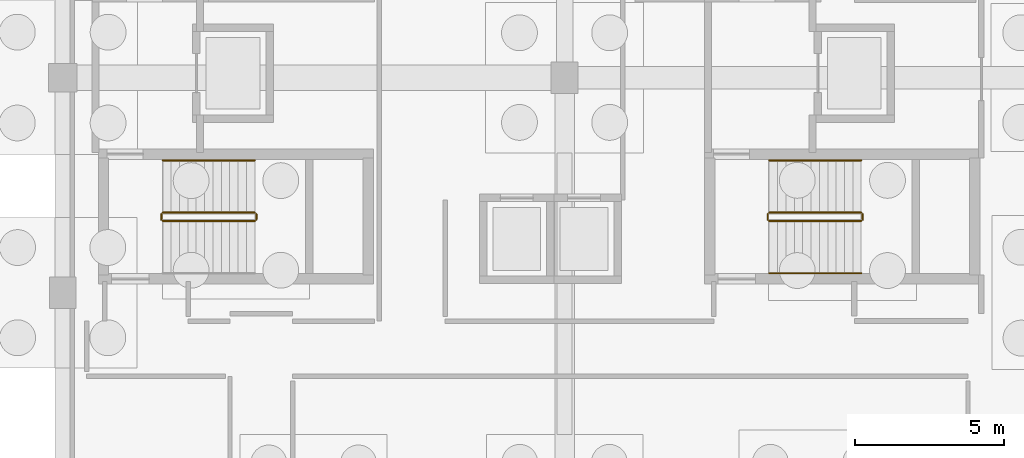
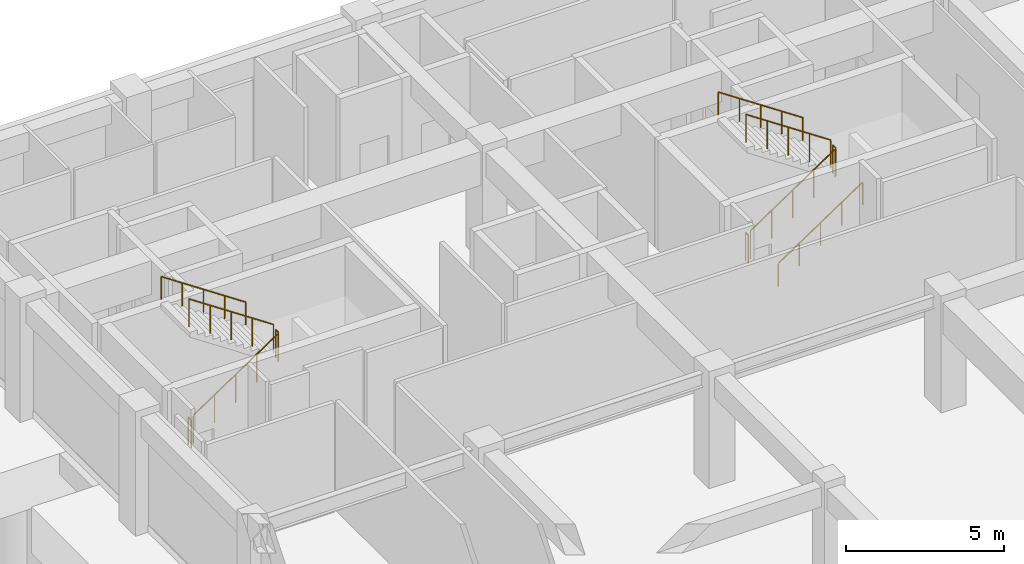
# One storey, part 40 of 42: 11 railings.
"""IFC4 building model written with IfcOpenShell, lengths in metres."""

from ifc_helpers import new_model, si_unit, direction, frame, origin, origin_2d, place, context, subcontext, project, spatial, circle, extrude, material, type_object, element, save


model = new_model("IFC4")

# Units and contexts
model_context = context("Model", 3, precision=1e-05, world=origin(), true_north=direction((0.0, 1.0)))
body_context = subcontext(model_context, "Body", "Model", "MODEL_VIEW")
ifc_project = project(units=[si_unit("LENGTHUNIT", "METRE"), si_unit("AREAUNIT", "SQUARE_METRE"), si_unit("VOLUMEUNIT", "CUBIC_METRE"), si_unit("PLANEANGLEUNIT", "RADIAN"), si_unit("MASSUNIT", "GRAM", prefix="KILO")], contexts=[model_context])

# Site, building, storey
site_placement = place(None, origin())
site = spatial("IfcSite", under=ifc_project, at=site_placement, CompositionType="ELEMENT")
building_placement = place(site_placement, origin())
building = spatial("IfcBuilding", under=site, at=building_placement, Name="Quendrovan Civic Courthouse", CompositionType="ELEMENT")
storey_placement = place(building_placement, frame((0.0, 0.0, -4.5)))
storey = spatial("IfcBuildingStorey", under=building, at=storey_placement, Name="B1", CompositionType="ELEMENT", Elevation=-4.5)

# Railings
ifc_material_1 = material(Name="Painted galvanized steel", Category="steel")
railing_type_1 = type_object("IfcRailingType", Name="RL-STR-GUARD1100", PredefinedType="GUARDRAIL", material=ifc_material_1)
railing_1_placement = place(storey_placement, frame((36.949951171875, 97.199951171875, 0.1875)))
element("IfcRailing", 1, at=railing_1_placement, inside=storey, type_object=railing_type_1, Name="B1 ST1 stair guard 1", PredefinedType="GUARDRAIL", context=body_context, shape_type="SweptSolid", body=[
    extrude(circle(Radius=0.02392578125, at=origin_2d()), frame((0.0, 0.0, 1.076171875), z_axis=(0.830913701846, 0.0, 0.55640131208), x_axis=(0.0, 1.0, 0.0)), (0.0, 0.0, 1.0), 3.706787109375),
    extrude(circle(Radius=0.02099609375, at=origin_2d()), origin(), (0.0, 0.0, 1.0), 1.052001953125),
    extrude(circle(Radius=0.02099609375, at=origin_2d()), frame((0.77001953125, 0.0, 0.515625)), (0.0, 0.0, 1.0), 1.052001953125),
    extrude(circle(Radius=0.02099609375, at=origin_2d()), frame((1.5400390625, 0.0, 1.03125)), (0.0, 0.0, 1.0), 1.052001953125),
    extrude(circle(Radius=0.02099609375, at=origin_2d()), frame((2.31005859375, 0.0, 1.546875)), (0.0, 0.0, 1.0), 1.052001953125),
    extrude(circle(Radius=0.02099609375, at=origin_2d()), frame((3.080078125, 0.0, 2.0625)), (0.0, 0.0, 1.0), 1.052001953125),
])
railing_2_placement = place(storey_placement, frame((40.080078125, 97.25, 2.25)))
element("IfcRailing", 2, at=railing_2_placement, inside=storey, type_object=railing_type_1, Name="B1 ST1 stair guard 2", PredefinedType="GUARDRAIL", context=body_context, shape_type="SweptSolid", body=[
    extrude(circle(Radius=0.02392578125, at=origin_2d()), frame((0.0, 0.0, 1.076171875), z_axis=(0.0, 1.0, 0.0), x_axis=(-1.0, 0.0, 0.0)), (0.0, 0.0, 1.0), 0.179931640625),
    extrude(circle(Radius=0.02099609375, at=origin_2d()), origin(), (0.0, 0.0, 1.0), 1.052001953125),
    extrude(circle(Radius=0.02099609375, at=origin_2d()), frame((0.0, 0.179931640625, 0.0)), (0.0, 0.0, 1.0), 1.052001953125),
])
railing_3_placement = place(storey_placement, frame((40.030029296875, 97.47998046875, 2.4375)))
element("IfcRailing", 3, at=railing_3_placement, inside=storey, type_object=railing_type_1, Name="B1 ST1 stair guard 3", PredefinedType="GUARDRAIL", context=body_context, shape_type="SweptSolid", body=[
    extrude(circle(Radius=0.02392578125, at=origin_2d()), frame((0.0, 0.0, 1.076171875), z_axis=(-0.830913701846, 0.0, 0.55640131208), x_axis=(0.0, -1.0, 0.0)), (0.0, 0.0, 1.0), 3.706787109375),
    extrude(circle(Radius=0.02099609375, at=origin_2d()), origin(), (0.0, 0.0, 1.0), 1.052001953125),
    extrude(circle(Radius=0.02099609375, at=origin_2d()), frame((-0.77001953125, 0.0, 0.515625)), (0.0, 0.0, 1.0), 1.052001953125),
    extrude(circle(Radius=0.02099609375, at=origin_2d()), frame((-1.5400390625, 0.0, 1.03125)), (0.0, 0.0, 1.0), 1.052001953125),
    extrude(circle(Radius=0.02099609375, at=origin_2d()), frame((-2.31005859375, 0.0, 1.546875)), (0.0, 0.0, 1.0), 1.052001953125),
    extrude(circle(Radius=0.02099609375, at=origin_2d()), frame((-3.080078125, 0.0, 2.0625)), (0.0, 0.0, 1.0), 1.052001953125),
])
railing_4_placement = place(storey_placement, frame((36.89990234375, 97.25, 0.0)))
element("IfcRailing", 4, at=railing_4_placement, inside=storey, type_object=railing_type_1, Name="B1 ST1 stair guard 4", PredefinedType="GUARDRAIL", context=body_context, shape_type="SweptSolid", body=[
    extrude(circle(Radius=0.02392578125, at=origin_2d()), frame((0.0, 0.0, 1.076171875), z_axis=(0.0, 1.0, 0.0), x_axis=(-1.0, 0.0, 0.0)), (0.0, 0.0, 1.0), 0.179931640625),
    extrude(circle(Radius=0.02099609375, at=origin_2d()), origin(), (0.0, 0.0, 1.0), 1.052001953125),
    extrude(circle(Radius=0.02099609375, at=origin_2d()), frame((0.0, 0.179931640625, 0.0)), (0.0, 0.0, 1.0), 1.052001953125),
])
railing_5_placement = place(storey_placement, frame((57.25, 97.199951171875, 0.1875)))
element("IfcRailing", 5, at=railing_5_placement, inside=storey, type_object=railing_type_1, Name="B1 ST2 stair guard 1", PredefinedType="GUARDRAIL", context=body_context, shape_type="SweptSolid", body=[
    extrude(circle(Radius=0.02392578125, at=origin_2d()), frame((0.0, 0.0, 1.076171875), z_axis=(0.830913701846, 0.0, 0.55640131208), x_axis=(0.0, 1.0, 0.0)), (0.0, 0.0, 1.0), 3.706787109375),
    extrude(circle(Radius=0.02099609375, at=origin_2d()), origin(), (0.0, 0.0, 1.0), 1.052001953125),
    extrude(circle(Radius=0.02099609375, at=origin_2d()), frame((0.77001953125, 0.0, 0.515625)), (0.0, 0.0, 1.0), 1.052001953125),
    extrude(circle(Radius=0.02099609375, at=origin_2d()), frame((1.5400390625, 0.0, 1.03125)), (0.0, 0.0, 1.0), 1.052001953125),
    extrude(circle(Radius=0.02099609375, at=origin_2d()), frame((2.31005859375, 0.0, 1.546875)), (0.0, 0.0, 1.0), 1.052001953125),
    extrude(circle(Radius=0.02099609375, at=origin_2d()), frame((3.080078125, 0.0, 2.0625)), (0.0, 0.0, 1.0), 1.052001953125),
])
railing_6_placement = place(storey_placement, frame((60.3798828125, 97.25, 2.25)))
element("IfcRailing", 6, at=railing_6_placement, inside=storey, type_object=railing_type_1, Name="B1 ST2 stair guard 2", PredefinedType="GUARDRAIL", context=body_context, shape_type="SweptSolid", body=[
    extrude(circle(Radius=0.02392578125, at=origin_2d()), frame((0.0, 0.0, 1.076171875), z_axis=(0.0, 1.0, 0.0), x_axis=(-1.0, 0.0, 0.0)), (0.0, 0.0, 1.0), 0.179931640625),
    extrude(circle(Radius=0.02099609375, at=origin_2d()), origin(), (0.0, 0.0, 1.0), 1.052001953125),
    extrude(circle(Radius=0.02099609375, at=origin_2d()), frame((0.0, 0.179931640625, 0.0)), (0.0, 0.0, 1.0), 1.052001953125),
])
railing_7_placement = place(storey_placement, frame((60.330078125, 97.47998046875, 2.4375)))
element("IfcRailing", 7, at=railing_7_placement, inside=storey, type_object=railing_type_1, Name="B1 ST2 stair guard 3", PredefinedType="GUARDRAIL", context=body_context, shape_type="SweptSolid", body=[
    extrude(circle(Radius=0.02392578125, at=origin_2d()), frame((0.0, 0.0, 1.076171875), z_axis=(-0.830913701846, 0.0, 0.55640131208), x_axis=(0.0, -1.0, 0.0)), (0.0, 0.0, 1.0), 3.706787109375),
    extrude(circle(Radius=0.02099609375, at=origin_2d()), origin(), (0.0, 0.0, 1.0), 1.052001953125),
    extrude(circle(Radius=0.02099609375, at=origin_2d()), frame((-0.77001953125, 0.0, 0.515625)), (0.0, 0.0, 1.0), 1.052001953125),
    extrude(circle(Radius=0.02099609375, at=origin_2d()), frame((-1.5400390625, 0.0, 1.03125)), (0.0, 0.0, 1.0), 1.052001953125),
    extrude(circle(Radius=0.02099609375, at=origin_2d()), frame((-2.31005859375, 0.0, 1.546875)), (0.0, 0.0, 1.0), 1.052001953125),
    extrude(circle(Radius=0.02099609375, at=origin_2d()), frame((-3.080078125, 0.0, 2.0625)), (0.0, 0.0, 1.0), 1.052001953125),
])
railing_8_placement = place(storey_placement, frame((57.199951171875, 97.25, 0.0)))
element("IfcRailing", 8, at=railing_8_placement, inside=storey, type_object=railing_type_1, Name="B1 ST2 stair guard 4", PredefinedType="GUARDRAIL", context=body_context, shape_type="SweptSolid", body=[
    extrude(circle(Radius=0.02392578125, at=origin_2d()), frame((0.0, 0.0, 1.076171875), z_axis=(0.0, 1.0, 0.0), x_axis=(-1.0, 0.0, 0.0)), (0.0, 0.0, 1.0), 0.179931640625),
    extrude(circle(Radius=0.02099609375, at=origin_2d()), origin(), (0.0, 0.0, 1.0), 1.052001953125),
    extrude(circle(Radius=0.02099609375, at=origin_2d()), frame((0.0, 0.179931640625, 0.0)), (0.0, 0.0, 1.0), 1.052001953125),
])
ifc_material_2 = material(Name="Bronze anodised aluminium", Category="aluminium")
railing_type_2 = type_object("IfcRailingType", Name="RL-STR-HAND900", PredefinedType="HANDRAIL", material=ifc_material_2)
railing_9_placement = place(storey_placement, frame((40.030029296875, 99.22998046875, 2.4375)))
element("IfcRailing", 9, at=railing_9_placement, inside=storey, type_object=railing_type_2, Name="B1 ST1 stair handrail 2", PredefinedType="HANDRAIL", context=body_context, shape_type="SweptSolid", body=[
    extrude(circle(Radius=0.02392578125, at=origin_2d()), frame((0.0, 0.0, 0.8759765625), z_axis=(-0.830913701846, 0.0, 0.55640131208), x_axis=(0.0, -1.0, 0.0)), (0.0, 0.0, 1.0), 3.706787109375),
    extrude(circle(Radius=0.02099609375, at=origin_2d()), origin(), (0.0, 0.0, 1.0), 0.851806640625),
    extrude(circle(Radius=0.02099609375, at=origin_2d()), frame((-0.77001953125, 0.0, 0.515625)), (0.0, 0.0, 1.0), 0.851806640625),
    extrude(circle(Radius=0.02099609375, at=origin_2d()), frame((-1.5400390625, 0.0, 1.03125)), (0.0, 0.0, 1.0), 0.851806640625),
    extrude(circle(Radius=0.02099609375, at=origin_2d()), frame((-2.31005859375, 0.0, 1.546875)), (0.0, 0.0, 1.0), 0.851806640625),
    extrude(circle(Radius=0.02099609375, at=origin_2d()), frame((-3.080078125, 0.0, 2.0625)), (0.0, 0.0, 1.0), 0.851806640625),
])
railing_10_placement = place(storey_placement, frame((57.25, 95.449951171875, 0.1875)))
element("IfcRailing", 10, at=railing_10_placement, inside=storey, type_object=railing_type_2, Name="B1 ST2 stair handrail 1", PredefinedType="HANDRAIL", context=body_context, shape_type="SweptSolid", body=[
    extrude(circle(Radius=0.02392578125, at=origin_2d()), frame((0.0, 0.0, 0.8759765625), z_axis=(0.830913701846, 0.0, 0.55640131208), x_axis=(0.0, 1.0, 0.0)), (0.0, 0.0, 1.0), 3.706787109375),
    extrude(circle(Radius=0.02099609375, at=origin_2d()), origin(), (0.0, 0.0, 1.0), 0.851806640625),
    extrude(circle(Radius=0.02099609375, at=origin_2d()), frame((0.77001953125, 0.0, 0.515625)), (0.0, 0.0, 1.0), 0.851806640625),
    extrude(circle(Radius=0.02099609375, at=origin_2d()), frame((1.5400390625, 0.0, 1.03125)), (0.0, 0.0, 1.0), 0.851806640625),
    extrude(circle(Radius=0.02099609375, at=origin_2d()), frame((2.31005859375, 0.0, 1.546875)), (0.0, 0.0, 1.0), 0.851806640625),
    extrude(circle(Radius=0.02099609375, at=origin_2d()), frame((3.080078125, 0.0, 2.0625)), (0.0, 0.0, 1.0), 0.851806640625),
])
railing_11_placement = place(storey_placement, frame((60.330078125, 99.22998046875, 2.4375)))
element("IfcRailing", 11, at=railing_11_placement, inside=storey, type_object=railing_type_2, Name="B1 ST2 stair handrail 2", PredefinedType="HANDRAIL", context=body_context, shape_type="SweptSolid", body=[
    extrude(circle(Radius=0.02392578125, at=origin_2d()), frame((0.0, 0.0, 0.8759765625), z_axis=(-0.830913701846, 0.0, 0.55640131208), x_axis=(0.0, -1.0, 0.0)), (0.0, 0.0, 1.0), 3.706787109375),
    extrude(circle(Radius=0.02099609375, at=origin_2d()), origin(), (0.0, 0.0, 1.0), 0.851806640625),
    extrude(circle(Radius=0.02099609375, at=origin_2d()), frame((-0.77001953125, 0.0, 0.515625)), (0.0, 0.0, 1.0), 0.851806640625),
    extrude(circle(Radius=0.02099609375, at=origin_2d()), frame((-1.5400390625, 0.0, 1.03125)), (0.0, 0.0, 1.0), 0.851806640625),
    extrude(circle(Radius=0.02099609375, at=origin_2d()), frame((-2.31005859375, 0.0, 1.546875)), (0.0, 0.0, 1.0), 0.851806640625),
    extrude(circle(Radius=0.02099609375, at=origin_2d()), frame((-3.080078125, 0.0, 2.0625)), (0.0, 0.0, 1.0), 0.851806640625),
])

save(model, "model.ifc")
